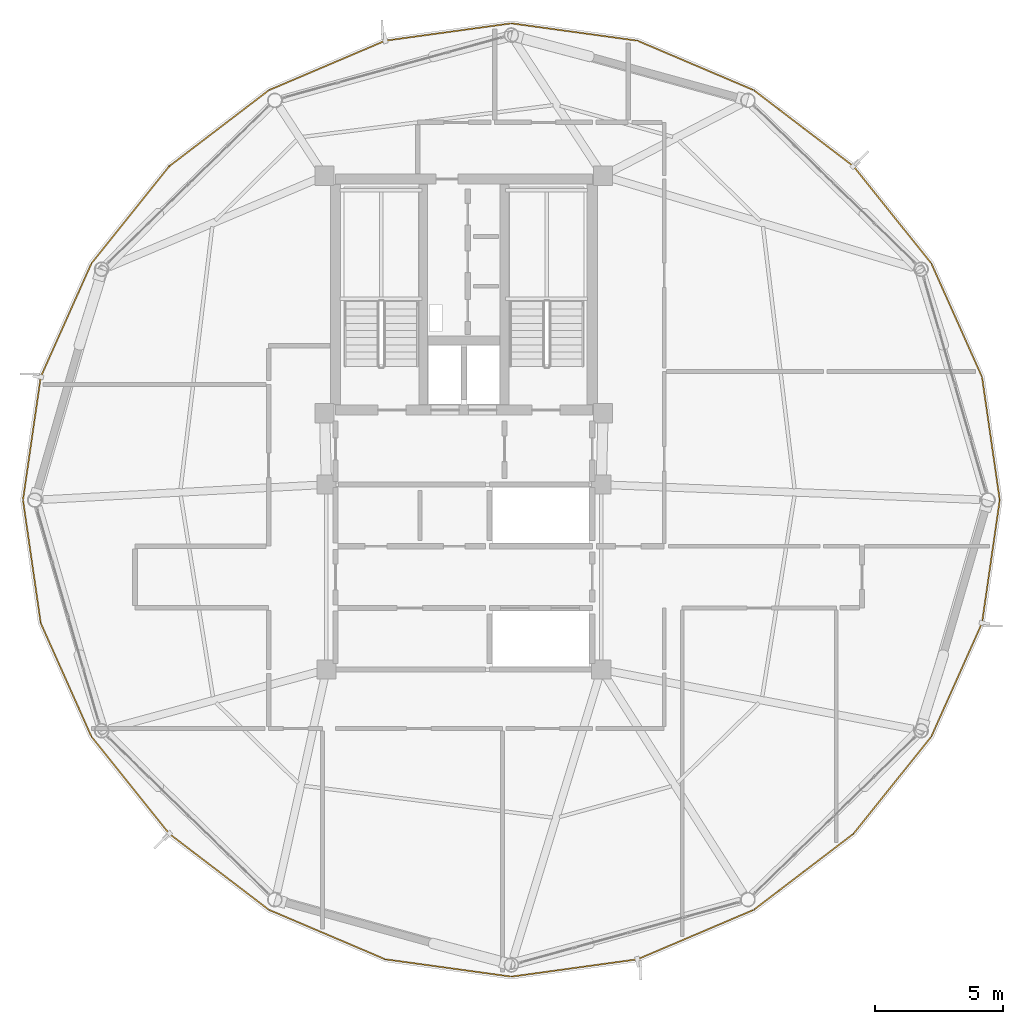
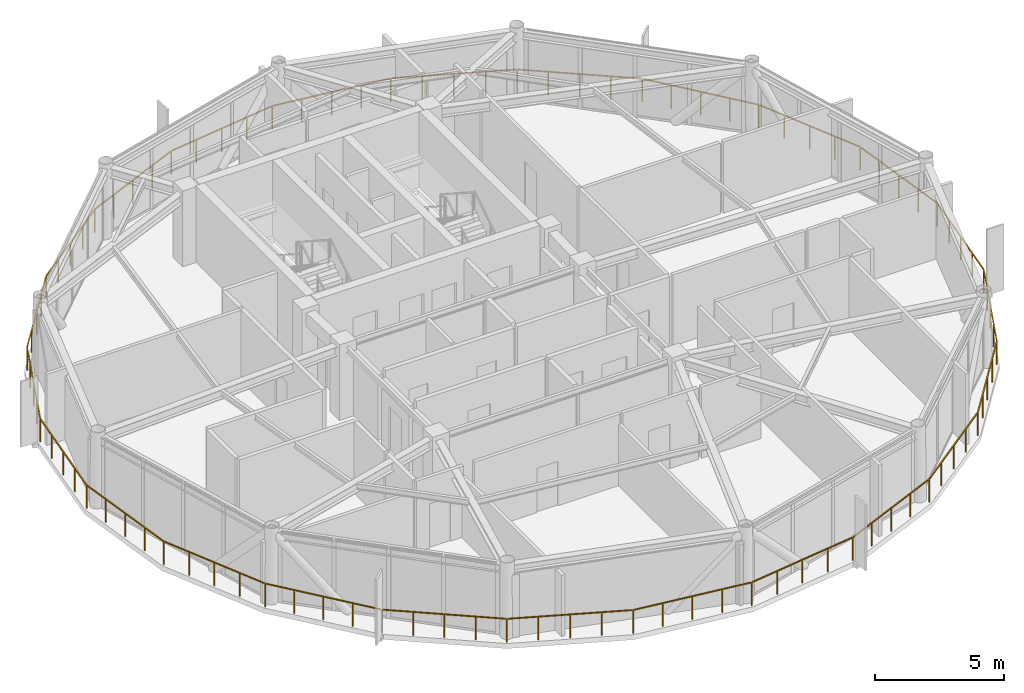
# One storey, part 26 of 27: 1 railing.
"""IFC4 building model written with IfcOpenShell, lengths in metres."""

from ifc_helpers import new_model, si_unit, direction, frame, origin, origin_2d, place, context, subcontext, project, spatial, rectangle, extrude, material, type_object, element, save


model = new_model("IFC4")

# Units and contexts
model_context = context("Model", 3, precision=1e-05, world=origin(), true_north=direction((0.0, 1.0)))
body_context = subcontext(model_context, "Body", "Model", "MODEL_VIEW")
ifc_project = project(units=[si_unit("LENGTHUNIT", "METRE"), si_unit("AREAUNIT", "SQUARE_METRE"), si_unit("VOLUMEUNIT", "CUBIC_METRE"), si_unit("PLANEANGLEUNIT", "RADIAN"), si_unit("MASSUNIT", "GRAM", prefix="KILO")], contexts=[model_context])

# Site, building, storey
site_placement = place(None, origin())
site = spatial("IfcSite", under=ifc_project, at=site_placement, CompositionType="ELEMENT")
building_placement = place(site_placement, origin())
building = spatial("IfcBuilding", under=site, at=building_placement, Name="Varnakorn Sky Granary", CompositionType="ELEMENT")
storey_placement = place(building_placement, frame((0.0, 0.0, 245.39990234375)))
storey = spatial("IfcBuildingStorey", under=building, at=storey_placement, Name="L62", CompositionType="ELEMENT", Elevation=245.39990234375)

# Railing
ifc_material = material(Name="Anodised Bronze Aluminium Alloy 6063-T6", Category="aluminium")
railing_type = type_object("IfcRailingType", Name="RL-BAL-1120", PredefinedType="BALUSTRADE", material=ifc_material)
railing_placement = place(storey_placement, frame((23.862060546875, 0.0, 0.0)))
element("IfcRailing", 1, at=railing_placement, inside=storey, type_object=railing_type, Name="Perimeter Slab-Edge Safety Guard L62", PredefinedType="BALUSTRADE", context=body_context, shape_type="SweptSolid", body=[
    extrude(rectangle(XDim=0.048095703125, YDim=0.048095703125, at=origin_2d()), frame((-0.00390625, -0.02783203125, 1.09619140625), z_axis=(-0.142749317353, -0.989758875886, 0.0), x_axis=(0.989758875886, -0.142749317353, 0.0)), (0.0, 0.0, 1.0), 4.782470703125),
    extrude(rectangle(XDim=0.048095703125, YDim=0.048095703125, at=origin_2d()), frame((-0.7021484375, -4.814453125, 1.09619140625), z_axis=(-0.407532901848, -0.913190524431, 0.0), x_axis=(0.913190524431, -0.407532901848, 0.0)), (0.0, 0.0, 1.0), 4.783203125),
    extrude(rectangle(XDim=0.048095703125, YDim=0.048095703125, at=origin_2d()), frame((-2.680419921875, -9.22998046875, 1.09619140625), z_axis=(-0.62525361138, -0.780421630566, 0.0), x_axis=(0.780421630566, -0.62525361138, 0.0)), (0.0, 0.0, 1.0), 4.793212890625),
    extrude(rectangle(XDim=0.048095703125, YDim=0.048095703125, at=origin_2d()), frame((-5.717041015625, -13.009521484375, 1.09619140625), z_axis=(-0.794952516073, -0.606671655173, 0.0), x_axis=(0.606671655173, -0.794952516073, 0.0)), (0.0, 0.0, 1.0), 4.823486328125),
    extrude(rectangle(XDim=0.048095703125, YDim=0.048095703125, at=origin_2d()), frame((-9.599609375, -15.963623046875, 1.09619140625), z_axis=(-0.920203670463, -0.391439912205, 0.0), x_axis=(0.391439912205, -0.920203670463, 0.0)), (0.0, 0.0, 1.0), 4.866943359375),
    extrude(rectangle(XDim=0.048095703125, YDim=0.048095703125, at=origin_2d()), frame((-14.131591796875, -17.883544921875, 1.09619140625), z_axis=(-0.990660876679, -0.136348917915, 0.0), x_axis=(0.136348917915, -0.990660876679, 0.0)), (0.0, 0.0, 1.0), 4.8984375),
    extrude(rectangle(XDim=0.048095703125, YDim=0.048095703125, at=origin_2d()), frame((-19.039794921875, -18.55126953125, 1.09619140625), z_axis=(-0.990661792719, 0.136342262146, 0.0), x_axis=(-0.136342262146, -0.990661792719, 0.0)), (0.0, 0.0, 1.0), 4.898681640625),
    extrude(rectangle(XDim=0.048095703125, YDim=0.048095703125, at=origin_2d()), frame((-23.9462890625, -17.86865234375, 1.09619140625), z_axis=(-0.920203670463, 0.391439912205, 0.0), x_axis=(-0.391439912205, -0.920203670463, 0.0)), (0.0, 0.0, 1.0), 4.866943359375),
    extrude(rectangle(XDim=0.048095703125, YDim=0.048095703125, at=origin_2d()), frame((-28.47265625, -15.935546875, 1.09619140625), z_axis=(-0.794952516073, 0.606671655173, 0.0), x_axis=(-0.606671655173, -0.794952516073, 0.0)), (0.0, 0.0, 1.0), 4.823486328125),
    extrude(rectangle(XDim=0.048095703125, YDim=0.048095703125, at=origin_2d()), frame((-32.346923828125, -12.970458984375, 1.09619140625), z_axis=(-0.62525361138, 0.780421630566, 0.0), x_axis=(-0.780421630566, -0.62525361138, 0.0)), (0.0, 0.0, 1.0), 4.793212890625),
    extrude(rectangle(XDim=0.048095703125, YDim=0.048095703125, at=origin_2d()), frame((-35.372802734375, -9.182373046875, 1.09619140625), z_axis=(-0.407490829668, 0.913209298976, 0.0), x_axis=(-0.913209298976, -0.407490829668, 0.0)), (0.0, 0.0, 1.0), 4.783203125),
    extrude(rectangle(XDim=0.048095703125, YDim=0.048095703125, at=origin_2d()), frame((-37.337158203125, -4.760986328125, 1.09619140625), z_axis=(-0.142798747877, 0.989751745442, 0.0), x_axis=(-0.989751745442, -0.142798747877, 0.0)), (0.0, 0.0, 1.0), 4.782470703125),
    extrude(rectangle(XDim=0.048095703125, YDim=0.048095703125, at=origin_2d()), frame((-38.020263671875, 0.02783203125, 1.09619140625), z_axis=(0.142798747877, 0.989751745442, 0.0), x_axis=(-0.989751745442, 0.142798747877, 0.0)), (0.0, 0.0, 1.0), 4.782470703125),
    extrude(rectangle(XDim=0.048095703125, YDim=0.048095703125, at=origin_2d()), frame((-37.32177734375, 4.814453125, 1.09619140625), z_axis=(0.407490829668, 0.913209298976, 0.0), x_axis=(-0.913209298976, 0.407490829668, 0.0)), (0.0, 0.0, 1.0), 4.783203125),
    extrude(rectangle(XDim=0.048095703125, YDim=0.048095703125, at=origin_2d()), frame((-35.34375, 9.22998046875, 1.09619140625), z_axis=(0.62525361138, 0.780421630566, 0.0), x_axis=(-0.780421630566, 0.62525361138, 0.0)), (0.0, 0.0, 1.0), 4.793212890625),
    extrude(rectangle(XDim=0.048095703125, YDim=0.048095703125, at=origin_2d()), frame((-32.30712890625, 13.009521484375, 1.09619140625), z_axis=(0.794952516073, 0.606671655173, 0.0), x_axis=(-0.606671655173, 0.794952516073, 0.0)), (0.0, 0.0, 1.0), 4.823486328125),
    extrude(rectangle(XDim=0.048095703125, YDim=0.048095703125, at=origin_2d()), frame((-28.424560546875, 15.963623046875, 1.09619140625), z_axis=(0.920203670463, 0.391439912205, 0.0), x_axis=(-0.391439912205, 0.920203670463, 0.0)), (0.0, 0.0, 1.0), 4.866943359375),
    extrude(rectangle(XDim=0.048095703125, YDim=0.048095703125, at=origin_2d()), frame((-23.892578125, 17.883544921875, 1.09619140625), z_axis=(0.990661792719, 0.136342262146, 0.0), x_axis=(-0.136342262146, 0.990661792719, 0.0)), (0.0, 0.0, 1.0), 4.898681640625),
    extrude(rectangle(XDim=0.048095703125, YDim=0.048095703125, at=origin_2d()), frame((-18.984130859375, 18.55126953125, 1.09619140625), z_axis=(0.990660876679, -0.136348917915, 0.0), x_axis=(0.136348917915, 0.990660876679, 0.0)), (0.0, 0.0, 1.0), 4.8984375),
    extrude(rectangle(XDim=0.048095703125, YDim=0.048095703125, at=origin_2d()), frame((-14.077880859375, 17.86865234375, 1.09619140625), z_axis=(0.920203670463, -0.391439912205, 0.0), x_axis=(0.391439912205, 0.920203670463, 0.0)), (0.0, 0.0, 1.0), 4.866943359375),
    extrude(rectangle(XDim=0.048095703125, YDim=0.048095703125, at=origin_2d()), frame((-9.551513671875, 15.935546875, 1.09619140625), z_axis=(0.794952516073, -0.606671655173, 0.0), x_axis=(0.606671655173, 0.794952516073, 0.0)), (0.0, 0.0, 1.0), 4.823486328125),
    extrude(rectangle(XDim=0.048095703125, YDim=0.048095703125, at=origin_2d()), frame((-5.67724609375, 12.970458984375, 1.09619140625), z_axis=(0.62525361138, -0.780421630566, 0.0), x_axis=(0.780421630566, 0.62525361138, 0.0)), (0.0, 0.0, 1.0), 4.793212890625),
    extrude(rectangle(XDim=0.048095703125, YDim=0.048095703125, at=origin_2d()), frame((-2.6513671875, 9.182373046875, 1.09619140625), z_axis=(0.407532901848, -0.913190524431, 0.0), x_axis=(0.913190524431, 0.407532901848, 0.0)), (0.0, 0.0, 1.0), 4.783203125),
    extrude(rectangle(XDim=0.048095703125, YDim=0.048095703125, at=origin_2d()), frame((-0.686767578125, 4.760986328125, 1.09619140625), z_axis=(0.142749317353, -0.989758875886, 0.0), x_axis=(0.989758875886, 0.142749317353, 0.0)), (0.0, 0.0, 1.0), 4.782470703125),
    extrude(rectangle(XDim=0.0419921875, YDim=0.0419921875, at=origin_2d()), origin(), (0.0, 0.0, 1.0), 1.068115234375),
    extrude(rectangle(XDim=0.0419921875, YDim=0.0419921875, at=origin_2d()), frame((-0.172607421875, -1.197265625, 0.0)), (0.0, 0.0, 1.0), 1.068115234375),
    extrude(rectangle(XDim=0.0419921875, YDim=0.0419921875, at=origin_2d()), frame((-0.34521484375, -2.39453125, 0.0)), (0.0, 0.0, 1.0), 1.068115234375),
    extrude(rectangle(XDim=0.0419921875, YDim=0.0419921875, at=origin_2d()), frame((-0.51806640625, -3.591552734375, 0.0)), (0.0, 0.0, 1.0), 1.068115234375),
    extrude(rectangle(XDim=0.0419921875, YDim=0.0419921875, at=origin_2d()), frame((-0.690673828125, -4.788818359375, 0.0)), (0.0, 0.0, 1.0), 1.068115234375),
    extrude(rectangle(XDim=0.0419921875, YDim=0.0419921875, at=origin_2d()), frame((-1.18359375, -5.8935546875, 0.0)), (0.0, 0.0, 1.0), 1.068115234375),
    extrude(rectangle(XDim=0.0419921875, YDim=0.0419921875, at=origin_2d()), frame((-1.6767578125, -6.99853515625, 0.0)), (0.0, 0.0, 1.0), 1.068115234375),
    extrude(rectangle(XDim=0.0419921875, YDim=0.0419921875, at=origin_2d()), frame((-2.169921875, -8.103271484375, 0.0)), (0.0, 0.0, 1.0), 1.068115234375),
    extrude(rectangle(XDim=0.0419921875, YDim=0.0419921875, at=origin_2d()), frame((-2.662841796875, -9.2080078125, 0.0)), (0.0, 0.0, 1.0), 1.068115234375),
    extrude(rectangle(XDim=0.0419921875, YDim=0.0419921875, at=origin_2d()), frame((-3.4208984375, -10.154052734375, 0.0)), (0.0, 0.0, 1.0), 1.068115234375),
    extrude(rectangle(XDim=0.0419921875, YDim=0.0419921875, at=origin_2d()), frame((-4.1787109375, -11.10009765625, 0.0)), (0.0, 0.0, 1.0), 1.068115234375),
    extrude(rectangle(XDim=0.0419921875, YDim=0.0419921875, at=origin_2d()), frame((-4.936767578125, -12.04638671875, 0.0)), (0.0, 0.0, 1.0), 1.068115234375),
    extrude(rectangle(XDim=0.0419921875, YDim=0.0419921875, at=origin_2d()), frame((-5.69482421875, -12.992431640625, 0.0)), (0.0, 0.0, 1.0), 1.068115234375),
    extrude(rectangle(XDim=0.0419921875, YDim=0.0419921875, at=origin_2d()), frame((-6.66455078125, -13.732421875, 0.0)), (0.0, 0.0, 1.0), 1.068115234375),
    extrude(rectangle(XDim=0.0419921875, YDim=0.0419921875, at=origin_2d()), frame((-7.63427734375, -14.47265625, 0.0)), (0.0, 0.0, 1.0), 1.068115234375),
    extrude(rectangle(XDim=0.0419921875, YDim=0.0419921875, at=origin_2d()), frame((-8.60400390625, -15.212646484375, 0.0)), (0.0, 0.0, 1.0), 1.068115234375),
    extrude(rectangle(XDim=0.0419921875, YDim=0.0419921875, at=origin_2d()), frame((-9.57373046875, -15.95263671875, 0.0)), (0.0, 0.0, 1.0), 1.068115234375),
    extrude(rectangle(XDim=0.0419921875, YDim=0.0419921875, at=origin_2d()), frame((-10.706298828125, -16.434326171875, 0.0)), (0.0, 0.0, 1.0), 1.068115234375),
    extrude(rectangle(XDim=0.0419921875, YDim=0.0419921875, at=origin_2d()), frame((-11.8388671875, -16.916015625, 0.0)), (0.0, 0.0, 1.0), 1.068115234375),
    extrude(rectangle(XDim=0.0419921875, YDim=0.0419921875, at=origin_2d()), frame((-12.97119140625, -17.39794921875, 0.0)), (0.0, 0.0, 1.0), 1.068115234375),
    extrude(rectangle(XDim=0.0419921875, YDim=0.0419921875, at=origin_2d()), frame((-14.103759765625, -17.879638671875, 0.0)), (0.0, 0.0, 1.0), 1.068115234375),
    extrude(rectangle(XDim=0.0419921875, YDim=0.0419921875, at=origin_2d()), frame((-15.330810546875, -18.048583984375, 0.0)), (0.0, 0.0, 1.0), 1.068115234375),
    extrude(rectangle(XDim=0.0419921875, YDim=0.0419921875, at=origin_2d()), frame((-16.557861328125, -18.21728515625, 0.0)), (0.0, 0.0, 1.0), 1.068115234375),
    extrude(rectangle(XDim=0.0419921875, YDim=0.0419921875, at=origin_2d()), frame((-17.784912109375, -18.38623046875, 0.0)), (0.0, 0.0, 1.0), 1.068115234375),
    extrude(rectangle(XDim=0.0419921875, YDim=0.0419921875, at=origin_2d()), frame((-19.011962890625, -18.55517578125, 0.0)), (0.0, 0.0, 1.0), 1.068115234375),
    extrude(rectangle(XDim=0.0419921875, YDim=0.0419921875, at=origin_2d()), frame((-20.239013671875, -18.38623046875, 0.0)), (0.0, 0.0, 1.0), 1.068115234375),
    extrude(rectangle(XDim=0.0419921875, YDim=0.0419921875, at=origin_2d()), frame((-21.46630859375, -18.21728515625, 0.0)), (0.0, 0.0, 1.0), 1.068115234375),
    extrude(rectangle(XDim=0.0419921875, YDim=0.0419921875, at=origin_2d()), frame((-22.693359375, -18.048583984375, 0.0)), (0.0, 0.0, 1.0), 1.068115234375),
    extrude(rectangle(XDim=0.0419921875, YDim=0.0419921875, at=origin_2d()), frame((-23.92041015625, -17.879638671875, 0.0)), (0.0, 0.0, 1.0), 1.068115234375),
    extrude(rectangle(XDim=0.0419921875, YDim=0.0419921875, at=origin_2d()), frame((-25.052978515625, -17.39794921875, 0.0)), (0.0, 0.0, 1.0), 1.068115234375),
    extrude(rectangle(XDim=0.0419921875, YDim=0.0419921875, at=origin_2d()), frame((-26.185546875, -16.916015625, 0.0)), (0.0, 0.0, 1.0), 1.068115234375),
    extrude(rectangle(XDim=0.0419921875, YDim=0.0419921875, at=origin_2d()), frame((-27.31787109375, -16.434326171875, 0.0)), (0.0, 0.0, 1.0), 1.068115234375),
    extrude(rectangle(XDim=0.0419921875, YDim=0.0419921875, at=origin_2d()), frame((-28.450439453125, -15.95263671875, 0.0)), (0.0, 0.0, 1.0), 1.068115234375),
    extrude(rectangle(XDim=0.0419921875, YDim=0.0419921875, at=origin_2d()), frame((-29.420166015625, -15.212646484375, 0.0)), (0.0, 0.0, 1.0), 1.068115234375),
    extrude(rectangle(XDim=0.0419921875, YDim=0.0419921875, at=origin_2d()), frame((-30.389892578125, -14.47265625, 0.0)), (0.0, 0.0, 1.0), 1.068115234375),
    extrude(rectangle(XDim=0.0419921875, YDim=0.0419921875, at=origin_2d()), frame((-31.359619140625, -13.732421875, 0.0)), (0.0, 0.0, 1.0), 1.068115234375),
    extrude(rectangle(XDim=0.0419921875, YDim=0.0419921875, at=origin_2d()), frame((-32.329345703125, -12.992431640625, 0.0)), (0.0, 0.0, 1.0), 1.068115234375),
    extrude(rectangle(XDim=0.0419921875, YDim=0.0419921875, at=origin_2d()), frame((-33.08740234375, -12.04638671875, 0.0)), (0.0, 0.0, 1.0), 1.068115234375),
    extrude(rectangle(XDim=0.0419921875, YDim=0.0419921875, at=origin_2d()), frame((-33.84521484375, -11.10009765625, 0.0)), (0.0, 0.0, 1.0), 1.068115234375),
    extrude(rectangle(XDim=0.0419921875, YDim=0.0419921875, at=origin_2d()), frame((-34.603271484375, -10.154052734375, 0.0)), (0.0, 0.0, 1.0), 1.068115234375),
    extrude(rectangle(XDim=0.0419921875, YDim=0.0419921875, at=origin_2d()), frame((-35.361328125, -9.2080078125, 0.0)), (0.0, 0.0, 1.0), 1.068115234375),
    extrude(rectangle(XDim=0.0419921875, YDim=0.0419921875, at=origin_2d()), frame((-35.854248046875, -8.103271484375, 0.0)), (0.0, 0.0, 1.0), 1.068115234375),
    extrude(rectangle(XDim=0.0419921875, YDim=0.0419921875, at=origin_2d()), frame((-36.34716796875, -6.99853515625, 0.0)), (0.0, 0.0, 1.0), 1.068115234375),
    extrude(rectangle(XDim=0.0419921875, YDim=0.0419921875, at=origin_2d()), frame((-36.84033203125, -5.8935546875, 0.0)), (0.0, 0.0, 1.0), 1.068115234375),
    extrude(rectangle(XDim=0.0419921875, YDim=0.0419921875, at=origin_2d()), frame((-37.333251953125, -4.788818359375, 0.0)), (0.0, 0.0, 1.0), 1.068115234375),
    extrude(rectangle(XDim=0.0419921875, YDim=0.0419921875, at=origin_2d()), frame((-37.505859375, -3.591552734375, 0.0)), (0.0, 0.0, 1.0), 1.068115234375),
    extrude(rectangle(XDim=0.0419921875, YDim=0.0419921875, at=origin_2d()), frame((-37.6787109375, -2.39453125, 0.0)), (0.0, 0.0, 1.0), 1.068115234375),
    extrude(rectangle(XDim=0.0419921875, YDim=0.0419921875, at=origin_2d()), frame((-37.8515625, -1.197265625, 0.0)), (0.0, 0.0, 1.0), 1.068115234375),
    extrude(rectangle(XDim=0.0419921875, YDim=0.0419921875, at=origin_2d()), frame((-38.024169921875, 0.0, 0.0)), (0.0, 0.0, 1.0), 1.068115234375),
    extrude(rectangle(XDim=0.0419921875, YDim=0.0419921875, at=origin_2d()), frame((-37.8515625, 1.197265625, 0.0)), (0.0, 0.0, 1.0), 1.068115234375),
    extrude(rectangle(XDim=0.0419921875, YDim=0.0419921875, at=origin_2d()), frame((-37.6787109375, 2.39453125, 0.0)), (0.0, 0.0, 1.0), 1.068115234375),
    extrude(rectangle(XDim=0.0419921875, YDim=0.0419921875, at=origin_2d()), frame((-37.505859375, 3.591552734375, 0.0)), (0.0, 0.0, 1.0), 1.068115234375),
    extrude(rectangle(XDim=0.0419921875, YDim=0.0419921875, at=origin_2d()), frame((-37.333251953125, 4.788818359375, 0.0)), (0.0, 0.0, 1.0), 1.068115234375),
    extrude(rectangle(XDim=0.0419921875, YDim=0.0419921875, at=origin_2d()), frame((-36.84033203125, 5.8935546875, 0.0)), (0.0, 0.0, 1.0), 1.068115234375),
    extrude(rectangle(XDim=0.0419921875, YDim=0.0419921875, at=origin_2d()), frame((-36.34716796875, 6.99853515625, 0.0)), (0.0, 0.0, 1.0), 1.068115234375),
    extrude(rectangle(XDim=0.0419921875, YDim=0.0419921875, at=origin_2d()), frame((-35.854248046875, 8.103271484375, 0.0)), (0.0, 0.0, 1.0), 1.068115234375),
    extrude(rectangle(XDim=0.0419921875, YDim=0.0419921875, at=origin_2d()), frame((-35.361328125, 9.2080078125, 0.0)), (0.0, 0.0, 1.0), 1.068115234375),
    extrude(rectangle(XDim=0.0419921875, YDim=0.0419921875, at=origin_2d()), frame((-34.603271484375, 10.154052734375, 0.0)), (0.0, 0.0, 1.0), 1.068115234375),
    extrude(rectangle(XDim=0.0419921875, YDim=0.0419921875, at=origin_2d()), frame((-33.84521484375, 11.10009765625, 0.0)), (0.0, 0.0, 1.0), 1.068115234375),
    extrude(rectangle(XDim=0.0419921875, YDim=0.0419921875, at=origin_2d()), frame((-33.08740234375, 12.04638671875, 0.0)), (0.0, 0.0, 1.0), 1.068115234375),
    extrude(rectangle(XDim=0.0419921875, YDim=0.0419921875, at=origin_2d()), frame((-32.329345703125, 12.992431640625, 0.0)), (0.0, 0.0, 1.0), 1.068115234375),
    extrude(rectangle(XDim=0.0419921875, YDim=0.0419921875, at=origin_2d()), frame((-31.359619140625, 13.732421875, 0.0)), (0.0, 0.0, 1.0), 1.068115234375),
    extrude(rectangle(XDim=0.0419921875, YDim=0.0419921875, at=origin_2d()), frame((-30.389892578125, 14.47265625, 0.0)), (0.0, 0.0, 1.0), 1.068115234375),
    extrude(rectangle(XDim=0.0419921875, YDim=0.0419921875, at=origin_2d()), frame((-29.420166015625, 15.212646484375, 0.0)), (0.0, 0.0, 1.0), 1.068115234375),
    extrude(rectangle(XDim=0.0419921875, YDim=0.0419921875, at=origin_2d()), frame((-28.450439453125, 15.95263671875, 0.0)), (0.0, 0.0, 1.0), 1.068115234375),
    extrude(rectangle(XDim=0.0419921875, YDim=0.0419921875, at=origin_2d()), frame((-27.31787109375, 16.434326171875, 0.0)), (0.0, 0.0, 1.0), 1.068115234375),
    extrude(rectangle(XDim=0.0419921875, YDim=0.0419921875, at=origin_2d()), frame((-26.185546875, 16.916015625, 0.0)), (0.0, 0.0, 1.0), 1.068115234375),
    extrude(rectangle(XDim=0.0419921875, YDim=0.0419921875, at=origin_2d()), frame((-25.052978515625, 17.39794921875, 0.0)), (0.0, 0.0, 1.0), 1.068115234375),
    extrude(rectangle(XDim=0.0419921875, YDim=0.0419921875, at=origin_2d()), frame((-23.92041015625, 17.879638671875, 0.0)), (0.0, 0.0, 1.0), 1.068115234375),
    extrude(rectangle(XDim=0.0419921875, YDim=0.0419921875, at=origin_2d()), frame((-22.693359375, 18.048583984375, 0.0)), (0.0, 0.0, 1.0), 1.068115234375),
    extrude(rectangle(XDim=0.0419921875, YDim=0.0419921875, at=origin_2d()), frame((-21.46630859375, 18.21728515625, 0.0)), (0.0, 0.0, 1.0), 1.068115234375),
    extrude(rectangle(XDim=0.0419921875, YDim=0.0419921875, at=origin_2d()), frame((-20.239013671875, 18.38623046875, 0.0)), (0.0, 0.0, 1.0), 1.068115234375),
    extrude(rectangle(XDim=0.0419921875, YDim=0.0419921875, at=origin_2d()), frame((-19.011962890625, 18.55517578125, 0.0)), (0.0, 0.0, 1.0), 1.068115234375),
    extrude(rectangle(XDim=0.0419921875, YDim=0.0419921875, at=origin_2d()), frame((-17.784912109375, 18.38623046875, 0.0)), (0.0, 0.0, 1.0), 1.068115234375),
    extrude(rectangle(XDim=0.0419921875, YDim=0.0419921875, at=origin_2d()), frame((-16.557861328125, 18.21728515625, 0.0)), (0.0, 0.0, 1.0), 1.068115234375),
    extrude(rectangle(XDim=0.0419921875, YDim=0.0419921875, at=origin_2d()), frame((-15.330810546875, 18.048583984375, 0.0)), (0.0, 0.0, 1.0), 1.068115234375),
    extrude(rectangle(XDim=0.0419921875, YDim=0.0419921875, at=origin_2d()), frame((-14.103759765625, 17.879638671875, 0.0)), (0.0, 0.0, 1.0), 1.068115234375),
    extrude(rectangle(XDim=0.0419921875, YDim=0.0419921875, at=origin_2d()), frame((-12.97119140625, 17.39794921875, 0.0)), (0.0, 0.0, 1.0), 1.068115234375),
    extrude(rectangle(XDim=0.0419921875, YDim=0.0419921875, at=origin_2d()), frame((-11.8388671875, 16.916015625, 0.0)), (0.0, 0.0, 1.0), 1.068115234375),
    extrude(rectangle(XDim=0.0419921875, YDim=0.0419921875, at=origin_2d()), frame((-10.706298828125, 16.434326171875, 0.0)), (0.0, 0.0, 1.0), 1.068115234375),
    extrude(rectangle(XDim=0.0419921875, YDim=0.0419921875, at=origin_2d()), frame((-9.57373046875, 15.95263671875, 0.0)), (0.0, 0.0, 1.0), 1.068115234375),
    extrude(rectangle(XDim=0.0419921875, YDim=0.0419921875, at=origin_2d()), frame((-8.60400390625, 15.212646484375, 0.0)), (0.0, 0.0, 1.0), 1.068115234375),
    extrude(rectangle(XDim=0.0419921875, YDim=0.0419921875, at=origin_2d()), frame((-7.63427734375, 14.47265625, 0.0)), (0.0, 0.0, 1.0), 1.068115234375),
    extrude(rectangle(XDim=0.0419921875, YDim=0.0419921875, at=origin_2d()), frame((-6.66455078125, 13.732421875, 0.0)), (0.0, 0.0, 1.0), 1.068115234375),
    extrude(rectangle(XDim=0.0419921875, YDim=0.0419921875, at=origin_2d()), frame((-5.69482421875, 12.992431640625, 0.0)), (0.0, 0.0, 1.0), 1.068115234375),
    extrude(rectangle(XDim=0.0419921875, YDim=0.0419921875, at=origin_2d()), frame((-4.936767578125, 12.04638671875, 0.0)), (0.0, 0.0, 1.0), 1.068115234375),
    extrude(rectangle(XDim=0.0419921875, YDim=0.0419921875, at=origin_2d()), frame((-4.1787109375, 11.10009765625, 0.0)), (0.0, 0.0, 1.0), 1.068115234375),
    extrude(rectangle(XDim=0.0419921875, YDim=0.0419921875, at=origin_2d()), frame((-3.4208984375, 10.154052734375, 0.0)), (0.0, 0.0, 1.0), 1.068115234375),
    extrude(rectangle(XDim=0.0419921875, YDim=0.0419921875, at=origin_2d()), frame((-2.662841796875, 9.2080078125, 0.0)), (0.0, 0.0, 1.0), 1.068115234375),
    extrude(rectangle(XDim=0.0419921875, YDim=0.0419921875, at=origin_2d()), frame((-2.169921875, 8.103271484375, 0.0)), (0.0, 0.0, 1.0), 1.068115234375),
    extrude(rectangle(XDim=0.0419921875, YDim=0.0419921875, at=origin_2d()), frame((-1.6767578125, 6.99853515625, 0.0)), (0.0, 0.0, 1.0), 1.068115234375),
    extrude(rectangle(XDim=0.0419921875, YDim=0.0419921875, at=origin_2d()), frame((-1.18359375, 5.8935546875, 0.0)), (0.0, 0.0, 1.0), 1.068115234375),
    extrude(rectangle(XDim=0.0419921875, YDim=0.0419921875, at=origin_2d()), frame((-0.690673828125, 4.788818359375, 0.0)), (0.0, 0.0, 1.0), 1.068115234375),
    extrude(rectangle(XDim=0.0419921875, YDim=0.0419921875, at=origin_2d()), frame((-0.51806640625, 3.591552734375, 0.0)), (0.0, 0.0, 1.0), 1.068115234375),
    extrude(rectangle(XDim=0.0419921875, YDim=0.0419921875, at=origin_2d()), frame((-0.34521484375, 2.39453125, 0.0)), (0.0, 0.0, 1.0), 1.068115234375),
    extrude(rectangle(XDim=0.0419921875, YDim=0.0419921875, at=origin_2d()), frame((-0.172607421875, 1.197265625, 0.0)), (0.0, 0.0, 1.0), 1.068115234375),
])

save(model, "model.ifc")
